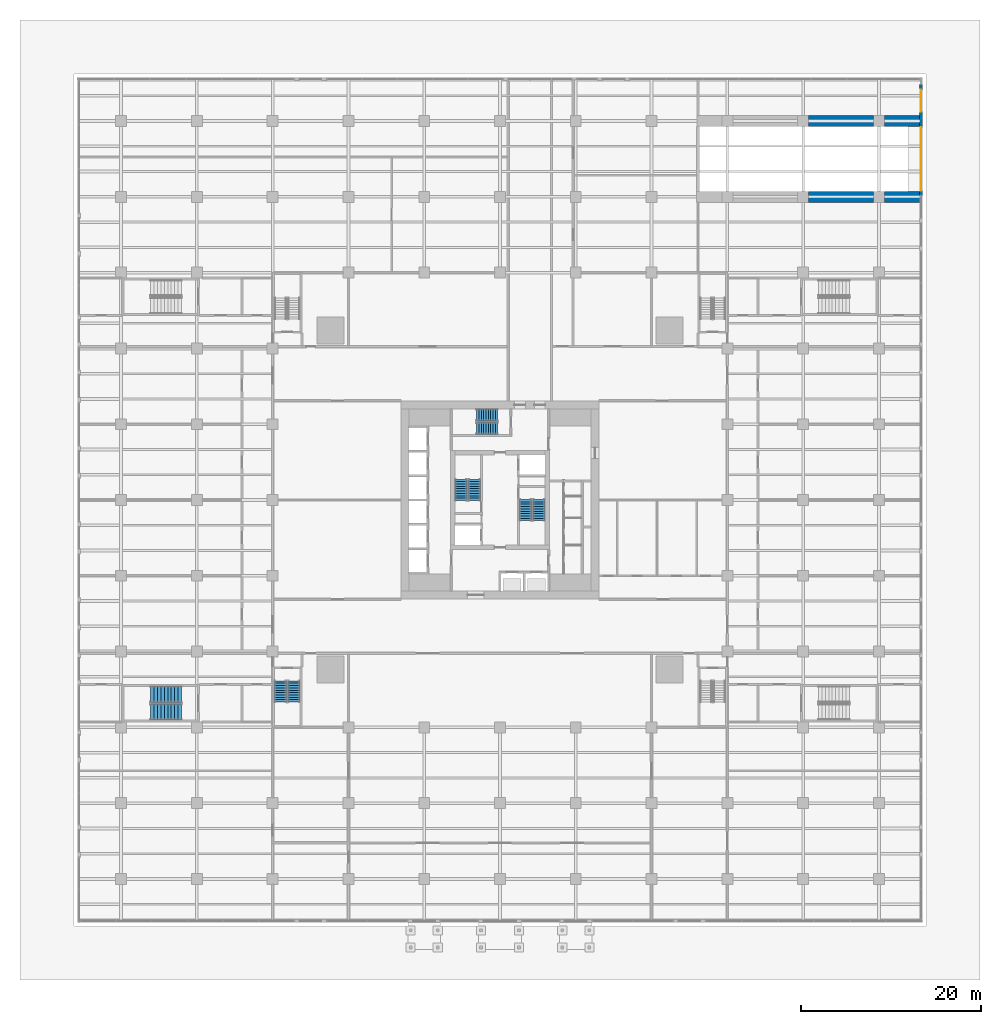
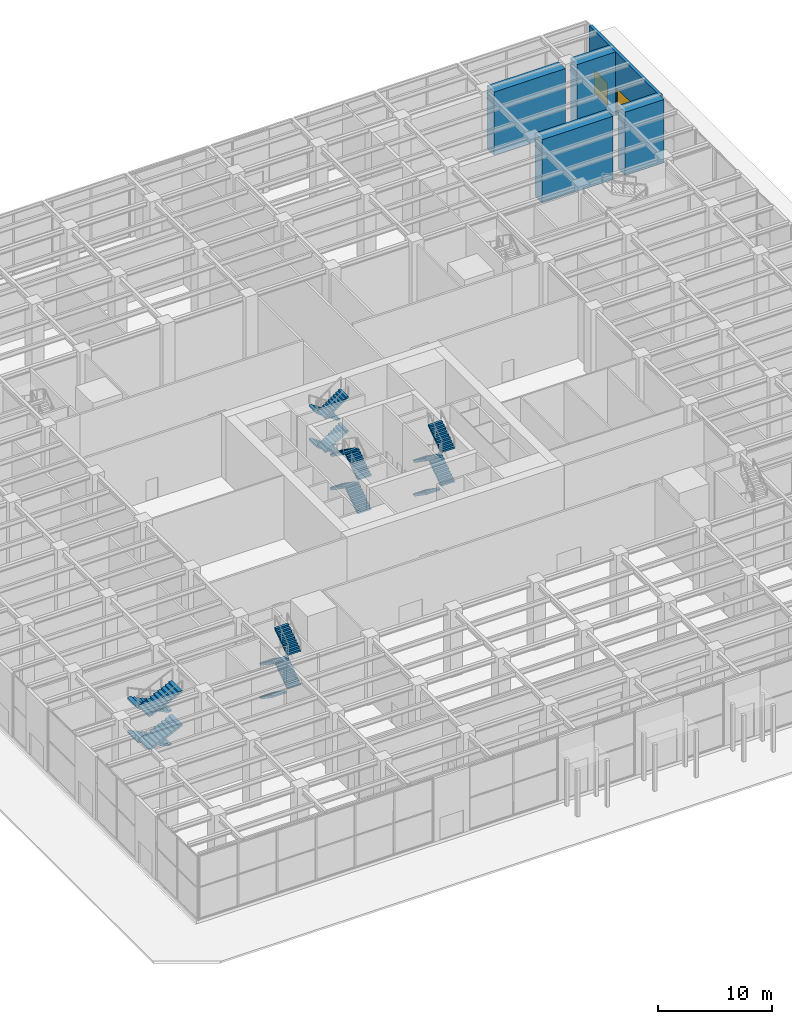
# One storey, part 36 of 43: 20 stair flights, 5 walls, 2 doors, 2 openings, 5 elements without a shape of their own.
"""IFC4 building model written with IfcOpenShell, lengths in metres."""

import ifcopenshell
import ifcopenshell.guid

model = None  # the IFC model being written
_history = None  # IfcOwnerHistory: only IFC2X3 demands one
_inside = {}  # id of a spatial element -> (the spatial element, [elements in it])
_under = {}  # id of a project, library or spatial element -> (it, [spatial elements below it])
_declared = {}  # id of a project -> (the project, [libraries it declares])
_typed = {}  # id of a type object -> (the type object, [elements of that type])
_made_of = {}  # id of a material, layer set ... -> (it, [elements and type objects made of it])


def new_model(schema):
    """Start an empty IFC model of exactly this schema.

    Asked for "IFC4X3", IfcOpenShell would pick the latest addendum, in which some entities
    have other attributes; the version numbers below select the first issue.
    IFC2X3 requires an IfcOwnerHistory on every rooted entity: one is made here for all.
    """
    global model, _history
    if schema == "IFC4X3":
        model = ifcopenshell.file(schema_version=(4, 3, 0, 0))
    else:
        model = ifcopenshell.file(schema=schema)
    _inside.clear()
    _under.clear()
    _declared.clear()
    _typed.clear()
    _made_of.clear()
    _history = None
    if model.schema == "IFC2X3":
        org = make("IfcOrganization", Name="unknown")
        user = make(
            "IfcPersonAndOrganization",
            ThePerson=make("IfcPerson", FamilyName="unknown"),
            TheOrganization=org,
        )
        app = make(
            "IfcApplication",
            ApplicationDeveloper=org,
            Version="unknown",
            ApplicationFullName="unknown",
            ApplicationIdentifier="unknown",
        )
        _history = make(
            "IfcOwnerHistory",
            OwningUser=user,
            OwningApplication=app,
            ChangeAction="ADDED",
            CreationDate=0,
        )
    return model


def make(cls, **values):
    """One entity of the class cls with the attributes given. An attribute that is None is left unset."""
    return model.create_entity(
        cls, **{name: value for name, value in values.items() if value is not None}
    )


def rooted(cls, **values):
    """An entity with a GlobalId (a new one), such as an element, a storey or a relation."""
    return make(cls, GlobalId=ifcopenshell.guid.new(), OwnerHistory=_history, **values)


def si_unit(unit_type, name, prefix=None):
    """IfcSIUnit, for example si_unit("LENGTHUNIT", "METRE", prefix="MILLI")."""
    return make("IfcSIUnit", UnitType=unit_type, Prefix=prefix, Name=name)


def assignment(units):
    """IfcUnitAssignment: the units of a project."""
    return None if units is None else make("IfcUnitAssignment", Units=units)


def point(xyz):
    """IfcCartesianPoint."""
    return None if xyz is None else make("IfcCartesianPoint", Coordinates=xyz)


def direction(xyz):
    """IfcDirection."""
    return None if xyz is None else make("IfcDirection", DirectionRatios=xyz)


def frame(location, z_axis=None, x_axis=None):
    """IfcAxis2Placement3D, a coordinate frame: its origin and axes. An axis left out is left unset."""
    return make(
        "IfcAxis2Placement3D",
        Location=point(location),
        Axis=direction(z_axis),
        RefDirection=direction(x_axis),
    )


def frame_2d(location, x_axis=None):
    """IfcAxis2Placement2D, a coordinate frame in the plane: its origin and x axis."""
    return make(
        "IfcAxis2Placement2D", Location=point(location), RefDirection=direction(x_axis)
    )


def origin():
    """The frame at (0, 0, 0) with its axes left unset."""
    return frame((0.0, 0.0, 0.0))


def place(relative_to, where):
    """IfcLocalPlacement: puts the frame where relative to a parent placement (None: the world)."""
    return make(
        "IfcLocalPlacement", PlacementRelTo=relative_to, RelativePlacement=where
    )


def context(
    kind, dimensions, precision=None, world=None, true_north=None, identifier=None
):
    """IfcGeometricRepresentationContext, for example the 3D "Model" context."""
    return make(
        "IfcGeometricRepresentationContext",
        ContextIdentifier=identifier,
        ContextType=kind,
        CoordinateSpaceDimension=dimensions,
        Precision=precision,
        WorldCoordinateSystem=world,
        TrueNorth=true_north,
    )


def subcontext(parent, identifier, kind, view, scale=None):
    """IfcGeometricRepresentationSubContext, for example "Body" below "Model"."""
    return make(
        "IfcGeometricRepresentationSubContext",
        ContextIdentifier=identifier,
        ContextType=kind,
        ParentContext=parent,
        TargetScale=scale,
        TargetView=view,
    )


def project(units=None, contexts=None):
    """IfcProject with its units and contexts."""
    return rooted(
        "IfcProject",
        Name="project",
        RepresentationContexts=contexts,
        UnitsInContext=assignment(units),
    )


def spatial(cls, under=None, at=None, **own):
    """A site, building, storey or space (cls), placed at a placement, below another one or the project."""
    s = rooted(cls, ObjectPlacement=at, **own)
    if under is not None:
        _under.setdefault(under.id(), (under, []))[1].append(s)
    return s


def polyline(points):
    """IfcPolyline through the points."""
    return make("IfcPolyline", Points=[point(p) for p in points])


def profile(cls, at=None, kind="AREA", **sizes):
    """A parametric profile (cls). Its sizes go by their IFC names, for example OverallWidth=200.0."""
    return make(cls, ProfileType=kind, Position=at, **sizes)


def rectangle(**sizes):
    """IfcRectangleProfileDef."""
    return profile("IfcRectangleProfileDef", **sizes)


def outline(outer, holes=None, kind="AREA"):
    """IfcArbitraryClosedProfileDef: a profile drawn as a closed curve; with holes, ...WithVoids."""
    if holes is None:
        return make("IfcArbitraryClosedProfileDef", ProfileType=kind, OuterCurve=outer)
    return make(
        "IfcArbitraryProfileDefWithVoids",
        ProfileType=kind,
        OuterCurve=outer,
        InnerCurves=holes,
    )


def extrude(swept, where, along, depth):
    """IfcExtrudedAreaSolid: the profile swept, set in the frame where, extruded along a direction by depth."""
    return make(
        "IfcExtrudedAreaSolid",
        SweptArea=swept,
        Position=where,
        ExtrudedDirection=direction(along),
        Depth=depth,
    )


def shape(context_of_items, identifier, shape_type, items):
    """IfcShapeRepresentation: the items that make up one representation, for example the "Body"."""
    return make(
        "IfcShapeRepresentation",
        ContextOfItems=context_of_items,
        RepresentationIdentifier=identifier,
        RepresentationType=shape_type,
        Items=items,
    )


def material(Name=None, Category=None):
    """IfcMaterial."""
    return make("IfcMaterial", Name=Name, Category=Category)


def layer(
    of_material, thickness, ventilated=None, Name=None, Category=None, Priority=None
):
    """IfcMaterialLayer: one layer of a wall or slab, of a material (None: an air gap)."""
    return make(
        "IfcMaterialLayer",
        Material=of_material,
        LayerThickness=thickness,
        IsVentilated=ventilated,
        Name=Name,
        Category=Category,
        Priority=Priority,
    )


def layer_set(layers, Name=None):
    """IfcMaterialLayerSet."""
    return make("IfcMaterialLayerSet", MaterialLayers=layers, LayerSetName=Name)


def made_of(thing, what):
    """Note that an element or type object is made of a material, layer set ...; save() writes the relation."""
    if what is not None:
        _made_of.setdefault(what.id(), (what, []))[1].append(thing)
    return thing


def type_object(cls, material=None, **own):
    """A type object (cls), such as IfcWallType, which elements share."""
    return made_of(rooted(cls, **own), material)


def element(
    cls,
    number,
    at=None,
    inside=None,
    cuts=None,
    type_object=None,
    material=None,
    context=None,
    identifier="Body",
    shape_type=None,
    held_by="IfcProductDefinitionShape",
    body=None,
    shapes=None,
    **own,
):
    """One element of the class cls, such as IfcWall. Its Tag is "e" and its number.

    at: its placement. inside: the storey or other place that contains it. cuts: it is an
    opening in that element (IfcRelVoidsElement). A single representation is given by context,
    identifier, shape_type and body (its items); several are given by shapes. held_by: the class
    of the entity that holds the representations. save() writes the other relations.
    """
    e = rooted(cls, Tag="e%d" % number, ObjectPlacement=at, **own)
    if body is not None:
        shapes = [shape(context, identifier, shape_type, body)]
    if shapes is not None:
        e.Representation = make(held_by, Representations=shapes)
    if inside is not None:
        _inside.setdefault(inside.id(), (inside, []))[1].append(e)
    if cuts is not None:
        rooted(
            "IfcRelVoidsElement", RelatingBuildingElement=cuts, RelatedOpeningElement=e
        )
    if type_object is not None:
        _typed.setdefault(type_object.id(), (type_object, []))[1].append(e)
    return made_of(e, material)


def fill(opening, filler):
    """IfcRelFillsElement: the door or window that sits in an opening."""
    return rooted(
        "IfcRelFillsElement",
        RelatingOpeningElement=opening,
        RelatedBuildingElement=filler,
    )


def aggregate(whole, parts):
    """IfcRelAggregates: a whole, such as a stair, and the parts it consists of."""
    return rooted("IfcRelAggregates", RelatingObject=whole, RelatedObjects=parts)


def save(model, path):
    """Write the relations noted so far, then the file.

    IfcRelAggregates (storeys below a building ...), IfcRelContainedInSpatialStructure (elements
    in a storey), IfcRelDefinesByType, IfcRelAssociatesMaterial and IfcRelDeclares: one each for
    every whole, place, type object, material and project.
    """
    for whole, parts in _under.values():
        aggregate(whole, parts)
    for where, things in _inside.values():
        rooted(
            "IfcRelContainedInSpatialStructure",
            RelatedElements=things,
            RelatingStructure=where,
        )
    for kind, things in _typed.values():
        rooted("IfcRelDefinesByType", RelatedObjects=things, RelatingType=kind)
    for what, things in _made_of.values():
        rooted("IfcRelAssociatesMaterial", RelatedObjects=things, RelatingMaterial=what)
    for by, libraries in _declared.values():
        rooted("IfcRelDeclares", RelatingContext=by, RelatedDefinitions=libraries)
    model.write(path)


model = new_model("IFC4")

# Units and contexts
model_context = context("Model", 3, precision=1e-05, world=origin(), true_north=direction((0.0, 1.0)))
body_context = subcontext(model_context, "Body", "Model", "MODEL_VIEW")
ifc_project = project(units=[si_unit("LENGTHUNIT", "METRE"), si_unit("AREAUNIT", "SQUARE_METRE"), si_unit("VOLUMEUNIT", "CUBIC_METRE"), si_unit("PLANEANGLEUNIT", "RADIAN"), si_unit("MASSUNIT", "GRAM", prefix="KILO")], contexts=[model_context])

# Site, building, storey
site_placement = place(None, origin())
site = spatial("IfcSite", under=ifc_project, at=site_placement, CompositionType="ELEMENT")
building_placement = place(site_placement, origin())
building = spatial("IfcBuilding", under=site, at=building_placement, Name="Khepri Terraces", CompositionType="ELEMENT")
storey_placement = place(building_placement, origin())
storey = spatial("IfcBuildingStorey", under=building, at=storey_placement, Name="L00", CompositionType="ELEMENT", Elevation=0.0)

# Wall, openings, doors
ifc_material_1 = material(Name="Precast concrete C50/60 warm stone", Category="masonry")
ifc_layer_1 = layer(ifc_material_1, 0.300048828125, Name="Precast concrete C50/60 warm stone", Category="masonry")
ifc_layer_set_1 = layer_set([ifc_layer_1], Name="Precast concrete C50/60 warm stone")
wall_type_1 = type_object("IfcWallType", Name="WL-EXT-PRECAST-300", PredefinedType="STANDARD", material=ifc_layer_set_1)
wall_1_placement = place(storey_placement, frame((46.64990234375, 33.699951171875, 0.0), z_axis=(0.0, 0.0, 1.0), x_axis=(0.0, 1.0, 0.0)))
wall_1 = element("IfcWall", 1, at=wall_1_placement, inside=storey, type_object=wall_type_1, Name="External wall L00 E", PredefinedType="STANDARD", context=body_context, shape_type="SweptSolid", body=[
    extrude(rectangle(XDim=12.35009765625, YDim=0.300048828125, at=frame_2d((6.175048828125, 0.0))), origin(), (0.0, 0.0, 1.0), 6.780029296875),
])
opening_1_placement = place(wall_1_placement, frame((0.60009765625, 0.0, 0.0)))
opening_1 = element("IfcOpeningElement", 2, at=opening_1_placement, cuts=wall_1, Name="Opening ED-L00-10", PredefinedType="OPENING", context=body_context, shape_type="SweptSolid", body=[
    extrude(rectangle(XDim=7.0, YDim=3.0, at=frame_2d((3.5, 1.5))), frame((0.0, 0.16015625, 0.0), z_axis=(0.0, -1.0, 0.0), x_axis=(1.0, 0.0, 0.0)), (0.0, 0.0, 1.0), 0.320068359375),
])
opening_2_placement = place(wall_1_placement, frame((9.35009765625, 0.0, 0.0)))
opening_2 = element("IfcOpeningElement", 3, at=opening_2_placement, cuts=wall_1, Name="Opening ED-L00-11", PredefinedType="OPENING", context=body_context, shape_type="SweptSolid", body=[
    extrude(rectangle(XDim=2.39990234375, YDim=2.39990234375, at=frame_2d((1.199951171875, 1.199951171875))), frame((0.0, 0.16015625, 0.0), z_axis=(0.0, -1.0, 0.0), x_axis=(1.0, 0.0, 0.0)), (0.0, 0.0, 1.0), 0.320068359375),
])
ifc_material_2 = material(Name="Perforated aluminium roller shutter", Category="aluminium")
door_type_1 = type_object("IfcDoorType", Name="DR-GATE-7000x3000", OperationType="NOTDEFINED", PredefinedType="GATE", material=ifc_material_2)
door_1_placement = place(opening_1_placement, origin())
door_1 = element("IfcDoor", 4, at=door_1_placement, inside=storey, type_object=door_type_1, Name="Vehicle door L00 E", OperationType="ROLLINGUP", OverallHeight=3.0, OverallWidth=7.0, PredefinedType="GATE", context=body_context, shape_type="SweptSolid", body=[
    extrude(rectangle(XDim=7.0, YDim=3.0, at=frame_2d((3.5, 1.5))), frame((0.0, 0.02490234375, 0.0), z_axis=(0.0, -1.0, 0.0), x_axis=(1.0, 0.0, 0.0)), (0.0, 0.0, 1.0), 0.050048828125),
])
fill(opening_1, door_1)
ifc_material_3 = material(Name="Painted galvanised steel leaf", Category="steel")
door_type_2 = type_object("IfcDoorType", Name="DR-SERVICE-2400x2400", OperationType="NOTDEFINED", PredefinedType="DOOR", material=ifc_material_3)
door_2_placement = place(opening_2_placement, frame((2.39990234375, 0.0, 0.0), z_axis=(0.0, 0.0, 1.0), x_axis=(-1.0, 0.0, 0.0)))
door_2 = element("IfcDoor", 5, at=door_2_placement, inside=storey, type_object=door_type_2, Name="Service door L00 E", OperationType="DOUBLE_DOOR_SINGLE_SWING", OverallHeight=2.39990234375, OverallWidth=2.39990234375, PredefinedType="DOOR", context=body_context, shape_type="SweptSolid", body=[
    extrude(rectangle(XDim=2.39990234375, YDim=2.39990234375, at=frame_2d((1.199951171875, 1.199951171875))), frame((0.0, 0.02490234375, 0.0), z_axis=(0.0, -1.0, 0.0), x_axis=(1.0, 0.0, 0.0)), (0.0, 0.0, 1.0), 0.050048828125),
])
fill(opening_2, door_2)

# Walls
ifc_material_4 = material(Name="Concrete C40/50", Category="concrete")
ifc_layer_2 = layer(ifc_material_4, 1.199951171875, Name="Concrete C40/50", Category="concrete")
ifc_layer_set_2 = layer_set([ifc_layer_2], Name="Concrete C40/50")
wall_type_2 = type_object("IfcWallType", Name="WL-POD-RAMP-1200", PredefinedType="SOLIDWALL", material=ifc_layer_set_2)
wall_2_placement = place(storey_placement, frame((34.199951171875, 33.60009765625, 0.0), z_axis=(0.0, 0.0, 1.0), x_axis=(1.0, 0.0, 0.0)))
element("IfcWall", 6, at=wall_2_placement, inside=storey, type_object=wall_type_2, Name="Ramp wall L00-PW082", PredefinedType="SOLIDWALL", context=body_context, shape_type="SweptSolid", body=[
    extrude(rectangle(XDim=7.199951171875, YDim=1.199951171875, at=frame_2d((3.60009765625, 0.0))), origin(), (0.0, 0.0, 1.0), 6.780029296875),
])
wall_3_placement = place(storey_placement, frame((42.60009765625, 33.60009765625, 0.0), z_axis=(0.0, 0.0, 1.0), x_axis=(1.0, 0.0, 0.0)))
element("IfcWall", 7, at=wall_3_placement, inside=storey, type_object=wall_type_2, Name="Ramp wall L00-PW083", PredefinedType="SOLIDWALL", context=body_context, shape_type="SweptSolid", body=[
    extrude(rectangle(XDim=3.949951171875, YDim=1.199951171875, at=frame_2d((1.97509765625, 0.0))), origin(), (0.0, 0.0, 1.0), 6.780029296875),
])
wall_4_placement = place(storey_placement, frame((34.199951171875, 42.0, 0.0), z_axis=(0.0, 0.0, 1.0), x_axis=(1.0, 0.0, 0.0)))
element("IfcWall", 8, at=wall_4_placement, inside=storey, type_object=wall_type_2, Name="Ramp wall L00-PW088", PredefinedType="SOLIDWALL", context=body_context, shape_type="SweptSolid", body=[
    extrude(rectangle(XDim=7.199951171875, YDim=1.199951171875, at=frame_2d((3.60009765625, 0.0))), origin(), (0.0, 0.0, 1.0), 6.780029296875),
])
wall_5_placement = place(storey_placement, frame((42.60009765625, 42.0, 0.0), z_axis=(0.0, 0.0, 1.0), x_axis=(1.0, 0.0, 0.0)))
element("IfcWall", 9, at=wall_5_placement, inside=storey, type_object=wall_type_2, Name="Ramp wall L00-PW089", PredefinedType="SOLIDWALL", context=body_context, shape_type="SweptSolid", body=[
    extrude(rectangle(XDim=3.949951171875, YDim=1.199951171875, at=frame_2d((1.97509765625, 0.0))), origin(), (0.0, 0.0, 1.0), 6.780029296875),
])

# Stair, stair flights
stair_type_1 = type_object("IfcStairType", Name="ST-POD", PredefinedType="HALF_TURN_STAIR", material=ifc_material_4)
stair_1_placement = place(storey_placement, origin())
stair_1 = element("IfcStair", 10, at=stair_1_placement, inside=storey, type_object=stair_type_1, Name="L00 Exit Stair PS-4", PredefinedType="HALF_TURN_STAIR")
stair_flight_type_1 = type_object("IfcStairFlightType", Name="SFL-POD", PredefinedType="STRAIGHT", material=ifc_material_4)
stair_flight_1_placement = place(storey_placement, frame((-24.324951171875, -20.050048828125, 0.0), z_axis=(0.0, 0.0, 1.0), x_axis=(0.0, -1.0, 0.0)))
stair_flight_1 = element("IfcStairFlight", 11, at=stair_flight_1_placement, type_object=stair_flight_type_1, Name="PS-4 flight 1", NumberOfRisers=10, NumberOfTreads=9, PredefinedType="STRAIGHT", RiserHeight=0.18, TreadLength=0.26, context=body_context, shape_type="SweptSolid", body=[
    extrude(outline(polyline([(0.0, 0.0), (0.0, 0.179931640625), (0.260009765625, 0.179931640625), (0.260009765625, 0.360107421875), (0.52001953125, 0.360107421875), (0.52001953125, 0.5400390625), (0.780029296875, 0.5400390625), (0.780029296875, 0.719970703125), (1.0400390625, 0.719970703125), (1.0400390625, 0.89990234375), (1.300048828125, 0.89990234375), (1.300048828125, 1.080078125), (1.56005859375, 1.080078125), (1.56005859375, 1.260009765625), (1.820068359375, 1.260009765625), (1.820068359375, 1.43994140625), (2.080078125, 1.43994140625), (2.080078125, 1.6201171875), (2.340087890625, 1.6201171875), (2.340087890625, 1.800048828125), (2.340087890625, 1.437744140625), (0.263427734375, 0.0), (0.0, 0.0)])), frame((0.0, 0.675048828125, 0.0), z_axis=(0.0, -1.0, 0.0), x_axis=(1.0, 0.0, 0.0)), (0.0, 0.0, 1.0), 1.35009765625),
])
stair_flight_2_placement = place(storey_placement, frame((-22.824951171875, -22.389892578125, 1.800048828125), z_axis=(0.0, 0.0, 1.0), x_axis=(0.0, 1.0, 0.0)))
stair_flight_2 = element("IfcStairFlight", 12, at=stair_flight_2_placement, type_object=stair_flight_type_1, Name="PS-4 flight 2", NumberOfRisers=10, NumberOfTreads=9, PredefinedType="STRAIGHT", RiserHeight=0.18, TreadLength=0.26, context=body_context, shape_type="SweptSolid", body=[
    extrude(outline(polyline([(0.0, 0.0), (0.0, 0.179931640625), (0.260009765625, 0.179931640625), (0.260009765625, 0.360107421875), (0.52001953125, 0.360107421875), (0.52001953125, 0.5400390625), (0.780029296875, 0.5400390625), (0.780029296875, 0.719970703125), (1.0400390625, 0.719970703125), (1.0400390625, 0.89990234375), (1.300048828125, 0.89990234375), (1.300048828125, 1.080078125), (1.56005859375, 1.080078125), (1.56005859375, 1.260009765625), (1.820068359375, 1.260009765625), (1.820068359375, 1.43994140625), (2.080078125, 1.43994140625), (2.080078125, 1.6201171875), (2.340087890625, 1.6201171875), (2.340087890625, 1.800048828125), (2.340087890625, 1.437744140625), (0.263427734375, 0.0), (0.0, 0.0)])), frame((0.0, 0.675048828125, 0.0), z_axis=(0.0, -1.0, 0.0), x_axis=(1.0, 0.0, 0.0)), (0.0, 0.0, 1.0), 1.35009765625),
])
stair_flight_3_placement = place(storey_placement, frame((-24.324951171875, -20.050048828125, 3.60009765625), z_axis=(0.0, 0.0, 1.0), x_axis=(0.0, -1.0, 0.0)))
stair_flight_3 = element("IfcStairFlight", 13, at=stair_flight_3_placement, type_object=stair_flight_type_1, Name="PS-4 flight 3", NumberOfRisers=10, NumberOfTreads=9, PredefinedType="STRAIGHT", RiserHeight=0.18, TreadLength=0.26, context=body_context, shape_type="SweptSolid", body=[
    extrude(outline(polyline([(0.0, 0.0), (0.0, 0.179931640625), (0.260009765625, 0.179931640625), (0.260009765625, 0.360107421875), (0.52001953125, 0.360107421875), (0.52001953125, 0.5400390625), (0.780029296875, 0.5400390625), (0.780029296875, 0.719970703125), (1.0400390625, 0.719970703125), (1.0400390625, 0.89990234375), (1.300048828125, 0.89990234375), (1.300048828125, 1.080078125), (1.56005859375, 1.080078125), (1.56005859375, 1.260009765625), (1.820068359375, 1.260009765625), (1.820068359375, 1.43994140625), (2.080078125, 1.43994140625), (2.080078125, 1.6201171875), (2.340087890625, 1.6201171875), (2.340087890625, 1.800048828125), (2.340087890625, 1.437744140625), (0.263427734375, 0.0), (0.0, 0.0)])), frame((0.0, 0.675048828125, 0.0), z_axis=(0.0, -1.0, 0.0), x_axis=(1.0, 0.0, 0.0)), (0.0, 0.0, 1.0), 1.35009765625),
])
stair_flight_4_placement = place(storey_placement, frame((-22.824951171875, -22.389892578125, 5.39990234375), z_axis=(0.0, 0.0, 1.0), x_axis=(0.0, 1.0, 0.0)))
stair_flight_4 = element("IfcStairFlight", 14, at=stair_flight_4_placement, type_object=stair_flight_type_1, Name="PS-4 flight 4", NumberOfRisers=10, NumberOfTreads=9, PredefinedType="STRAIGHT", RiserHeight=0.18, TreadLength=0.26, context=body_context, shape_type="SweptSolid", body=[
    extrude(outline(polyline([(0.0, 0.0), (0.0, 0.179931640625), (0.260009765625, 0.179931640625), (0.260009765625, 0.360107421875), (0.52001953125, 0.360107421875), (0.52001953125, 0.5400390625), (0.780029296875, 0.5400390625), (0.780029296875, 0.719970703125), (1.0400390625, 0.719970703125), (1.0400390625, 0.89990234375), (1.300048828125, 0.89990234375), (1.300048828125, 1.080078125), (1.56005859375, 1.080078125), (1.56005859375, 1.260009765625), (1.820068359375, 1.260009765625), (1.820068359375, 1.43994140625), (2.080078125, 1.43994140625), (2.080078125, 1.6201171875), (2.340087890625, 1.6201171875), (2.340087890625, 1.800048828125), (2.340087890625, 1.437744140625), (0.263427734375, 0.0), (0.0, 0.0)])), frame((0.0, 0.675048828125, 0.0), z_axis=(0.0, -1.0, 0.0), x_axis=(1.0, 0.0, 0.0)), (0.0, 0.0, 1.0), 1.35009765625),
])
aggregate(stair_1, [stair_flight_1, stair_flight_2, stair_flight_3, stair_flight_4])

stair_2_placement = place(storey_placement, origin())
stair_2 = element("IfcStair", 15, at=stair_2_placement, inside=storey, type_object=stair_type_1, Name="L00 Exit Stair PS-7", PredefinedType="HALF_TURN_STAIR")
stair_flight_5_placement = place(storey_placement, frame((-35.300048828125, -21.550048828125, 0.0), z_axis=(0.0, 0.0, 1.0), x_axis=(-1.0, 0.0, 0.0)))
stair_flight_5 = element("IfcStairFlight", 16, at=stair_flight_5_placement, type_object=stair_flight_type_1, Name="PS-7 flight 1", NumberOfRisers=10, NumberOfTreads=9, PredefinedType="STRAIGHT", RiserHeight=0.18, TreadLength=0.38, context=body_context, shape_type="SweptSolid", body=[
    extrude(outline(polyline([(0.0, 0.0), (0.0, 0.179931640625), (0.3798828125, 0.179931640625), (0.3798828125, 0.360107421875), (0.760009765625, 0.360107421875), (0.760009765625, 0.5400390625), (1.139892578125, 0.5400390625), (1.139892578125, 0.719970703125), (1.52001953125, 0.719970703125), (1.52001953125, 0.89990234375), (1.89990234375, 0.89990234375), (1.89990234375, 1.080078125), (2.280029296875, 1.080078125), (2.280029296875, 1.260009765625), (2.659912109375, 1.260009765625), (2.659912109375, 1.43994140625), (3.0400390625, 1.43994140625), (3.0400390625, 1.6201171875), (3.419921875, 1.6201171875), (3.419921875, 1.800048828125), (3.419921875, 1.4541015625), (0.35009765625, 0.0), (0.0, 0.0)])), frame((0.0, 0.89990234375, 0.0), z_axis=(0.0, -1.0, 0.0), x_axis=(1.0, 0.0, 0.0)), (0.0, 0.0, 1.0), 1.800048828125),
])
stair_flight_6_placement = place(storey_placement, frame((-38.719970703125, -23.5, 1.800048828125), z_axis=(0.0, 0.0, 1.0), x_axis=(1.0, 0.0, 0.0)))
stair_flight_6 = element("IfcStairFlight", 17, at=stair_flight_6_placement, type_object=stair_flight_type_1, Name="PS-7 flight 2", NumberOfRisers=10, NumberOfTreads=9, PredefinedType="STRAIGHT", RiserHeight=0.18, TreadLength=0.38, context=body_context, shape_type="SweptSolid", body=[
    extrude(outline(polyline([(0.0, 0.0), (0.0, 0.179931640625), (0.3798828125, 0.179931640625), (0.3798828125, 0.360107421875), (0.760009765625, 0.360107421875), (0.760009765625, 0.5400390625), (1.139892578125, 0.5400390625), (1.139892578125, 0.719970703125), (1.52001953125, 0.719970703125), (1.52001953125, 0.89990234375), (1.89990234375, 0.89990234375), (1.89990234375, 1.080078125), (2.280029296875, 1.080078125), (2.280029296875, 1.260009765625), (2.659912109375, 1.260009765625), (2.659912109375, 1.43994140625), (3.0400390625, 1.43994140625), (3.0400390625, 1.6201171875), (3.419921875, 1.6201171875), (3.419921875, 1.800048828125), (3.419921875, 1.4541015625), (0.35009765625, 0.0), (0.0, 0.0)])), frame((0.0, 0.89990234375, 0.0), z_axis=(0.0, -1.0, 0.0), x_axis=(1.0, 0.0, 0.0)), (0.0, 0.0, 1.0), 1.800048828125),
])
stair_flight_7_placement = place(storey_placement, frame((-35.300048828125, -21.550048828125, 3.60009765625), z_axis=(0.0, 0.0, 1.0), x_axis=(-1.0, 0.0, 0.0)))
stair_flight_7 = element("IfcStairFlight", 18, at=stair_flight_7_placement, type_object=stair_flight_type_1, Name="PS-7 flight 3", NumberOfRisers=10, NumberOfTreads=9, PredefinedType="STRAIGHT", RiserHeight=0.18, TreadLength=0.38, context=body_context, shape_type="SweptSolid", body=[
    extrude(outline(polyline([(0.0, 0.0), (0.0, 0.179931640625), (0.3798828125, 0.179931640625), (0.3798828125, 0.360107421875), (0.760009765625, 0.360107421875), (0.760009765625, 0.5400390625), (1.139892578125, 0.5400390625), (1.139892578125, 0.719970703125), (1.52001953125, 0.719970703125), (1.52001953125, 0.89990234375), (1.89990234375, 0.89990234375), (1.89990234375, 1.080078125), (2.280029296875, 1.080078125), (2.280029296875, 1.260009765625), (2.659912109375, 1.260009765625), (2.659912109375, 1.43994140625), (3.0400390625, 1.43994140625), (3.0400390625, 1.6201171875), (3.419921875, 1.6201171875), (3.419921875, 1.800048828125), (3.419921875, 1.4541015625), (0.35009765625, 0.0), (0.0, 0.0)])), frame((0.0, 0.89990234375, 0.0), z_axis=(0.0, -1.0, 0.0), x_axis=(1.0, 0.0, 0.0)), (0.0, 0.0, 1.0), 1.800048828125),
])
stair_flight_8_placement = place(storey_placement, frame((-38.719970703125, -23.5, 5.39990234375), z_axis=(0.0, 0.0, 1.0), x_axis=(1.0, 0.0, 0.0)))
stair_flight_8 = element("IfcStairFlight", 19, at=stair_flight_8_placement, type_object=stair_flight_type_1, Name="PS-7 flight 4", NumberOfRisers=10, NumberOfTreads=9, PredefinedType="STRAIGHT", RiserHeight=0.18, TreadLength=0.38, context=body_context, shape_type="SweptSolid", body=[
    extrude(outline(polyline([(0.0, 0.0), (0.0, 0.179931640625), (0.3798828125, 0.179931640625), (0.3798828125, 0.360107421875), (0.760009765625, 0.360107421875), (0.760009765625, 0.5400390625), (1.139892578125, 0.5400390625), (1.139892578125, 0.719970703125), (1.52001953125, 0.719970703125), (1.52001953125, 0.89990234375), (1.89990234375, 0.89990234375), (1.89990234375, 1.080078125), (2.280029296875, 1.080078125), (2.280029296875, 1.260009765625), (2.659912109375, 1.260009765625), (2.659912109375, 1.43994140625), (3.0400390625, 1.43994140625), (3.0400390625, 1.6201171875), (3.419921875, 1.6201171875), (3.419921875, 1.800048828125), (3.419921875, 1.4541015625), (0.35009765625, 0.0), (0.0, 0.0)])), frame((0.0, 0.89990234375, 0.0), z_axis=(0.0, -1.0, 0.0), x_axis=(1.0, 0.0, 0.0)), (0.0, 0.0, 1.0), 1.800048828125),
])
aggregate(stair_2, [stair_flight_5, stair_flight_6, stair_flight_7, stair_flight_8])

stair_type_2 = type_object("IfcStairType", Name="STAIR-RC-40R", PredefinedType="HALF_TURN_STAIR", material=ifc_material_4)
stair_3_placement = place(storey_placement, origin())
stair_3 = element("IfcStair", 20, at=stair_3_placement, inside=storey, type_object=stair_type_2, Name="L00 Exit Stair ST-1", PredefinedType="HALF_TURN_STAIR")
stair_flight_type_2 = type_object("IfcStairFlightType", Name="SFL-RC-180", PredefinedType="STRAIGHT", material=ifc_material_4)
stair_flight_9_placement = place(storey_placement, frame((-2.824951171875, -0.050048828125, 0.0), z_axis=(0.0, 0.0, 1.0), x_axis=(0.0, 1.0, 0.0)))
stair_flight_9 = element("IfcStairFlight", 21, at=stair_flight_9_placement, type_object=stair_flight_type_2, Name="ST-1 flight 1", NumberOfRisers=10, NumberOfTreads=9, PredefinedType="STRAIGHT", RiserHeight=0.18, TreadLength=0.26, context=body_context, shape_type="SweptSolid", body=[
    extrude(outline(polyline([(0.0, 0.0), (0.0, 0.179931640625), (0.260009765625, 0.179931640625), (0.260009765625, 0.360107421875), (0.52001953125, 0.360107421875), (0.52001953125, 0.5400390625), (0.780029296875, 0.5400390625), (0.780029296875, 0.719970703125), (1.0400390625, 0.719970703125), (1.0400390625, 0.89990234375), (1.300048828125, 0.89990234375), (1.300048828125, 1.080078125), (1.56005859375, 1.080078125), (1.56005859375, 1.260009765625), (1.820068359375, 1.260009765625), (1.820068359375, 1.43994140625), (2.080078125, 1.43994140625), (2.080078125, 1.6201171875), (2.340087890625, 1.6201171875), (2.340087890625, 1.800048828125), (2.340087890625, 1.437744140625), (0.263427734375, 0.0), (0.0, 0.0)])), frame((0.0, 0.675048828125, 0.0), z_axis=(0.0, -1.0, 0.0), x_axis=(1.0, 0.0, 0.0)), (0.0, 0.0, 1.0), 1.35009765625),
])
stair_flight_10_placement = place(storey_placement, frame((-4.324951171875, 2.2900390625, 1.800048828125), z_axis=(0.0, 0.0, 1.0), x_axis=(0.0, -1.0, 0.0)))
stair_flight_10 = element("IfcStairFlight", 22, at=stair_flight_10_placement, type_object=stair_flight_type_2, Name="ST-1 flight 2", NumberOfRisers=10, NumberOfTreads=9, PredefinedType="STRAIGHT", RiserHeight=0.18, TreadLength=0.26, context=body_context, shape_type="SweptSolid", body=[
    extrude(outline(polyline([(0.0, 0.0), (0.0, 0.179931640625), (0.260009765625, 0.179931640625), (0.260009765625, 0.360107421875), (0.52001953125, 0.360107421875), (0.52001953125, 0.5400390625), (0.780029296875, 0.5400390625), (0.780029296875, 0.719970703125), (1.0400390625, 0.719970703125), (1.0400390625, 0.89990234375), (1.300048828125, 0.89990234375), (1.300048828125, 1.080078125), (1.56005859375, 1.080078125), (1.56005859375, 1.260009765625), (1.820068359375, 1.260009765625), (1.820068359375, 1.43994140625), (2.080078125, 1.43994140625), (2.080078125, 1.6201171875), (2.340087890625, 1.6201171875), (2.340087890625, 1.800048828125), (2.340087890625, 1.437744140625), (0.263427734375, 0.0), (0.0, 0.0)])), frame((0.0, 0.675048828125, 0.0), z_axis=(0.0, -1.0, 0.0), x_axis=(1.0, 0.0, 0.0)), (0.0, 0.0, 1.0), 1.35009765625),
])
stair_flight_11_placement = place(storey_placement, frame((-2.824951171875, -0.050048828125, 3.60009765625), z_axis=(0.0, 0.0, 1.0), x_axis=(0.0, 1.0, 0.0)))
stair_flight_11 = element("IfcStairFlight", 23, at=stair_flight_11_placement, type_object=stair_flight_type_2, Name="ST-1 flight 3", NumberOfRisers=10, NumberOfTreads=9, PredefinedType="STRAIGHT", RiserHeight=0.18, TreadLength=0.26, context=body_context, shape_type="SweptSolid", body=[
    extrude(outline(polyline([(0.0, 0.0), (0.0, 0.179931640625), (0.260009765625, 0.179931640625), (0.260009765625, 0.360107421875), (0.52001953125, 0.360107421875), (0.52001953125, 0.5400390625), (0.780029296875, 0.5400390625), (0.780029296875, 0.719970703125), (1.0400390625, 0.719970703125), (1.0400390625, 0.89990234375), (1.300048828125, 0.89990234375), (1.300048828125, 1.080078125), (1.56005859375, 1.080078125), (1.56005859375, 1.260009765625), (1.820068359375, 1.260009765625), (1.820068359375, 1.43994140625), (2.080078125, 1.43994140625), (2.080078125, 1.6201171875), (2.340087890625, 1.6201171875), (2.340087890625, 1.800048828125), (2.340087890625, 1.437744140625), (0.263427734375, 0.0), (0.0, 0.0)])), frame((0.0, 0.675048828125, 0.0), z_axis=(0.0, -1.0, 0.0), x_axis=(1.0, 0.0, 0.0)), (0.0, 0.0, 1.0), 1.35009765625),
])
stair_flight_12_placement = place(storey_placement, frame((-4.324951171875, 2.2900390625, 5.39990234375), z_axis=(0.0, 0.0, 1.0), x_axis=(0.0, -1.0, 0.0)))
stair_flight_12 = element("IfcStairFlight", 24, at=stair_flight_12_placement, type_object=stair_flight_type_2, Name="ST-1 flight 4", NumberOfRisers=10, NumberOfTreads=9, PredefinedType="STRAIGHT", RiserHeight=0.18, TreadLength=0.26, context=body_context, shape_type="SweptSolid", body=[
    extrude(outline(polyline([(0.0, 0.0), (0.0, 0.179931640625), (0.260009765625, 0.179931640625), (0.260009765625, 0.360107421875), (0.52001953125, 0.360107421875), (0.52001953125, 0.5400390625), (0.780029296875, 0.5400390625), (0.780029296875, 0.719970703125), (1.0400390625, 0.719970703125), (1.0400390625, 0.89990234375), (1.300048828125, 0.89990234375), (1.300048828125, 1.080078125), (1.56005859375, 1.080078125), (1.56005859375, 1.260009765625), (1.820068359375, 1.260009765625), (1.820068359375, 1.43994140625), (2.080078125, 1.43994140625), (2.080078125, 1.6201171875), (2.340087890625, 1.6201171875), (2.340087890625, 1.800048828125), (2.340087890625, 1.437744140625), (0.263427734375, 0.0), (0.0, 0.0)])), frame((0.0, 0.675048828125, 0.0), z_axis=(0.0, -1.0, 0.0), x_axis=(1.0, 0.0, 0.0)), (0.0, 0.0, 1.0), 1.35009765625),
])
aggregate(stair_3, [stair_flight_9, stair_flight_10, stair_flight_11, stair_flight_12])

stair_4_placement = place(storey_placement, origin())
stair_4 = element("IfcStair", 25, at=stair_4_placement, inside=storey, type_object=stair_type_2, Name="L00 Exit Stair ST-2", PredefinedType="HALF_TURN_STAIR")
stair_flight_13_placement = place(storey_placement, frame((2.824951171875, 0.050048828125, 0.0), z_axis=(0.0, 0.0, 1.0), x_axis=(0.0, -1.0, 0.0)))
stair_flight_13 = element("IfcStairFlight", 26, at=stair_flight_13_placement, type_object=stair_flight_type_2, Name="ST-2 flight 1", NumberOfRisers=10, NumberOfTreads=9, PredefinedType="STRAIGHT", RiserHeight=0.18, TreadLength=0.26, context=body_context, shape_type="SweptSolid", body=[
    extrude(outline(polyline([(0.0, 0.0), (0.0, 0.179931640625), (0.260009765625, 0.179931640625), (0.260009765625, 0.360107421875), (0.52001953125, 0.360107421875), (0.52001953125, 0.5400390625), (0.780029296875, 0.5400390625), (0.780029296875, 0.719970703125), (1.0400390625, 0.719970703125), (1.0400390625, 0.89990234375), (1.300048828125, 0.89990234375), (1.300048828125, 1.080078125), (1.56005859375, 1.080078125), (1.56005859375, 1.260009765625), (1.820068359375, 1.260009765625), (1.820068359375, 1.43994140625), (2.080078125, 1.43994140625), (2.080078125, 1.6201171875), (2.340087890625, 1.6201171875), (2.340087890625, 1.800048828125), (2.340087890625, 1.437744140625), (0.263427734375, 0.0), (0.0, 0.0)])), frame((0.0, 0.675048828125, 0.0), z_axis=(0.0, -1.0, 0.0), x_axis=(1.0, 0.0, 0.0)), (0.0, 0.0, 1.0), 1.35009765625),
])
stair_flight_14_placement = place(storey_placement, frame((4.324951171875, -2.2900390625, 1.800048828125), z_axis=(0.0, 0.0, 1.0), x_axis=(0.0, 1.0, 0.0)))
stair_flight_14 = element("IfcStairFlight", 27, at=stair_flight_14_placement, type_object=stair_flight_type_2, Name="ST-2 flight 2", NumberOfRisers=10, NumberOfTreads=9, PredefinedType="STRAIGHT", RiserHeight=0.18, TreadLength=0.26, context=body_context, shape_type="SweptSolid", body=[
    extrude(outline(polyline([(0.0, 0.0), (0.0, 0.179931640625), (0.260009765625, 0.179931640625), (0.260009765625, 0.360107421875), (0.52001953125, 0.360107421875), (0.52001953125, 0.5400390625), (0.780029296875, 0.5400390625), (0.780029296875, 0.719970703125), (1.0400390625, 0.719970703125), (1.0400390625, 0.89990234375), (1.300048828125, 0.89990234375), (1.300048828125, 1.080078125), (1.56005859375, 1.080078125), (1.56005859375, 1.260009765625), (1.820068359375, 1.260009765625), (1.820068359375, 1.43994140625), (2.080078125, 1.43994140625), (2.080078125, 1.6201171875), (2.340087890625, 1.6201171875), (2.340087890625, 1.800048828125), (2.340087890625, 1.437744140625), (0.263427734375, 0.0), (0.0, 0.0)])), frame((0.0, 0.675048828125, 0.0), z_axis=(0.0, -1.0, 0.0), x_axis=(1.0, 0.0, 0.0)), (0.0, 0.0, 1.0), 1.35009765625),
])
stair_flight_15_placement = place(storey_placement, frame((2.824951171875, 0.050048828125, 3.60009765625), z_axis=(0.0, 0.0, 1.0), x_axis=(0.0, -1.0, 0.0)))
stair_flight_15 = element("IfcStairFlight", 28, at=stair_flight_15_placement, type_object=stair_flight_type_2, Name="ST-2 flight 3", NumberOfRisers=10, NumberOfTreads=9, PredefinedType="STRAIGHT", RiserHeight=0.18, TreadLength=0.26, context=body_context, shape_type="SweptSolid", body=[
    extrude(outline(polyline([(0.0, 0.0), (0.0, 0.179931640625), (0.260009765625, 0.179931640625), (0.260009765625, 0.360107421875), (0.52001953125, 0.360107421875), (0.52001953125, 0.5400390625), (0.780029296875, 0.5400390625), (0.780029296875, 0.719970703125), (1.0400390625, 0.719970703125), (1.0400390625, 0.89990234375), (1.300048828125, 0.89990234375), (1.300048828125, 1.080078125), (1.56005859375, 1.080078125), (1.56005859375, 1.260009765625), (1.820068359375, 1.260009765625), (1.820068359375, 1.43994140625), (2.080078125, 1.43994140625), (2.080078125, 1.6201171875), (2.340087890625, 1.6201171875), (2.340087890625, 1.800048828125), (2.340087890625, 1.437744140625), (0.263427734375, 0.0), (0.0, 0.0)])), frame((0.0, 0.675048828125, 0.0), z_axis=(0.0, -1.0, 0.0), x_axis=(1.0, 0.0, 0.0)), (0.0, 0.0, 1.0), 1.35009765625),
])
stair_flight_16_placement = place(storey_placement, frame((4.324951171875, -2.2900390625, 5.39990234375), z_axis=(0.0, 0.0, 1.0), x_axis=(0.0, 1.0, 0.0)))
stair_flight_16 = element("IfcStairFlight", 29, at=stair_flight_16_placement, type_object=stair_flight_type_2, Name="ST-2 flight 4", NumberOfRisers=10, NumberOfTreads=9, PredefinedType="STRAIGHT", RiserHeight=0.18, TreadLength=0.26, context=body_context, shape_type="SweptSolid", body=[
    extrude(outline(polyline([(0.0, 0.0), (0.0, 0.179931640625), (0.260009765625, 0.179931640625), (0.260009765625, 0.360107421875), (0.52001953125, 0.360107421875), (0.52001953125, 0.5400390625), (0.780029296875, 0.5400390625), (0.780029296875, 0.719970703125), (1.0400390625, 0.719970703125), (1.0400390625, 0.89990234375), (1.300048828125, 0.89990234375), (1.300048828125, 1.080078125), (1.56005859375, 1.080078125), (1.56005859375, 1.260009765625), (1.820068359375, 1.260009765625), (1.820068359375, 1.43994140625), (2.080078125, 1.43994140625), (2.080078125, 1.6201171875), (2.340087890625, 1.6201171875), (2.340087890625, 1.800048828125), (2.340087890625, 1.437744140625), (0.263427734375, 0.0), (0.0, 0.0)])), frame((0.0, 0.675048828125, 0.0), z_axis=(0.0, -1.0, 0.0), x_axis=(1.0, 0.0, 0.0)), (0.0, 0.0, 1.0), 1.35009765625),
])
aggregate(stair_4, [stair_flight_13, stair_flight_14, stair_flight_15, stair_flight_16])

stair_5_placement = place(storey_placement, origin())
stair_5 = element("IfcStair", 30, at=stair_5_placement, inside=storey, type_object=stair_type_2, Name="L00 Exit Stair ST-3", PredefinedType="HALF_TURN_STAIR")
stair_flight_17_placement = place(storey_placement, frame((-0.25, 9.425048828125, 0.0), z_axis=(0.0, 0.0, 1.0), x_axis=(-1.0, 0.0, 0.0)))
stair_flight_17 = element("IfcStairFlight", 31, at=stair_flight_17_placement, type_object=stair_flight_type_2, Name="ST-3 flight 1", NumberOfRisers=10, NumberOfTreads=9, PredefinedType="STRAIGHT", RiserHeight=0.18, TreadLength=0.26, context=body_context, shape_type="SweptSolid", body=[
    extrude(outline(polyline([(0.0, 0.0), (0.0, 0.179931640625), (0.260009765625, 0.179931640625), (0.260009765625, 0.360107421875), (0.52001953125, 0.360107421875), (0.52001953125, 0.5400390625), (0.780029296875, 0.5400390625), (0.780029296875, 0.719970703125), (1.0400390625, 0.719970703125), (1.0400390625, 0.89990234375), (1.300048828125, 0.89990234375), (1.300048828125, 1.080078125), (1.56005859375, 1.080078125), (1.56005859375, 1.260009765625), (1.820068359375, 1.260009765625), (1.820068359375, 1.43994140625), (2.080078125, 1.43994140625), (2.080078125, 1.6201171875), (2.340087890625, 1.6201171875), (2.340087890625, 1.800048828125), (2.340087890625, 1.437744140625), (0.263427734375, 0.0), (0.0, 0.0)])), frame((0.0, 0.675048828125, 0.0), z_axis=(0.0, -1.0, 0.0), x_axis=(1.0, 0.0, 0.0)), (0.0, 0.0, 1.0), 1.35009765625),
])
stair_flight_18_placement = place(storey_placement, frame((-2.590087890625, 7.925048828125, 1.800048828125), z_axis=(0.0, 0.0, 1.0), x_axis=(1.0, 0.0, 0.0)))
stair_flight_18 = element("IfcStairFlight", 32, at=stair_flight_18_placement, type_object=stair_flight_type_2, Name="ST-3 flight 2", NumberOfRisers=10, NumberOfTreads=9, PredefinedType="STRAIGHT", RiserHeight=0.18, TreadLength=0.26, context=body_context, shape_type="SweptSolid", body=[
    extrude(outline(polyline([(0.0, 0.0), (0.0, 0.179931640625), (0.260009765625, 0.179931640625), (0.260009765625, 0.360107421875), (0.52001953125, 0.360107421875), (0.52001953125, 0.5400390625), (0.780029296875, 0.5400390625), (0.780029296875, 0.719970703125), (1.0400390625, 0.719970703125), (1.0400390625, 0.89990234375), (1.300048828125, 0.89990234375), (1.300048828125, 1.080078125), (1.56005859375, 1.080078125), (1.56005859375, 1.260009765625), (1.820068359375, 1.260009765625), (1.820068359375, 1.43994140625), (2.080078125, 1.43994140625), (2.080078125, 1.6201171875), (2.340087890625, 1.6201171875), (2.340087890625, 1.800048828125), (2.340087890625, 1.437744140625), (0.263427734375, 0.0), (0.0, 0.0)])), frame((0.0, 0.675048828125, 0.0), z_axis=(0.0, -1.0, 0.0), x_axis=(1.0, 0.0, 0.0)), (0.0, 0.0, 1.0), 1.35009765625),
])
stair_flight_19_placement = place(storey_placement, frame((-0.25, 9.425048828125, 3.60009765625), z_axis=(0.0, 0.0, 1.0), x_axis=(-1.0, 0.0, 0.0)))
stair_flight_19 = element("IfcStairFlight", 33, at=stair_flight_19_placement, type_object=stair_flight_type_2, Name="ST-3 flight 3", NumberOfRisers=10, NumberOfTreads=9, PredefinedType="STRAIGHT", RiserHeight=0.18, TreadLength=0.26, context=body_context, shape_type="SweptSolid", body=[
    extrude(outline(polyline([(0.0, 0.0), (0.0, 0.179931640625), (0.260009765625, 0.179931640625), (0.260009765625, 0.360107421875), (0.52001953125, 0.360107421875), (0.52001953125, 0.5400390625), (0.780029296875, 0.5400390625), (0.780029296875, 0.719970703125), (1.0400390625, 0.719970703125), (1.0400390625, 0.89990234375), (1.300048828125, 0.89990234375), (1.300048828125, 1.080078125), (1.56005859375, 1.080078125), (1.56005859375, 1.260009765625), (1.820068359375, 1.260009765625), (1.820068359375, 1.43994140625), (2.080078125, 1.43994140625), (2.080078125, 1.6201171875), (2.340087890625, 1.6201171875), (2.340087890625, 1.800048828125), (2.340087890625, 1.437744140625), (0.263427734375, 0.0), (0.0, 0.0)])), frame((0.0, 0.675048828125, 0.0), z_axis=(0.0, -1.0, 0.0), x_axis=(1.0, 0.0, 0.0)), (0.0, 0.0, 1.0), 1.35009765625),
])
stair_flight_20_placement = place(storey_placement, frame((-2.590087890625, 7.925048828125, 5.39990234375), z_axis=(0.0, 0.0, 1.0), x_axis=(1.0, 0.0, 0.0)))
stair_flight_20 = element("IfcStairFlight", 34, at=stair_flight_20_placement, type_object=stair_flight_type_2, Name="ST-3 flight 4", NumberOfRisers=10, NumberOfTreads=9, PredefinedType="STRAIGHT", RiserHeight=0.18, TreadLength=0.26, context=body_context, shape_type="SweptSolid", body=[
    extrude(outline(polyline([(0.0, 0.0), (0.0, 0.179931640625), (0.260009765625, 0.179931640625), (0.260009765625, 0.360107421875), (0.52001953125, 0.360107421875), (0.52001953125, 0.5400390625), (0.780029296875, 0.5400390625), (0.780029296875, 0.719970703125), (1.0400390625, 0.719970703125), (1.0400390625, 0.89990234375), (1.300048828125, 0.89990234375), (1.300048828125, 1.080078125), (1.56005859375, 1.080078125), (1.56005859375, 1.260009765625), (1.820068359375, 1.260009765625), (1.820068359375, 1.43994140625), (2.080078125, 1.43994140625), (2.080078125, 1.6201171875), (2.340087890625, 1.6201171875), (2.340087890625, 1.800048828125), (2.340087890625, 1.437744140625), (0.263427734375, 0.0), (0.0, 0.0)])), frame((0.0, 0.675048828125, 0.0), z_axis=(0.0, -1.0, 0.0), x_axis=(1.0, 0.0, 0.0)), (0.0, 0.0, 1.0), 1.35009765625),
])
aggregate(stair_5, [stair_flight_17, stair_flight_18, stair_flight_19, stair_flight_20])

save(model, "model.ifc")
